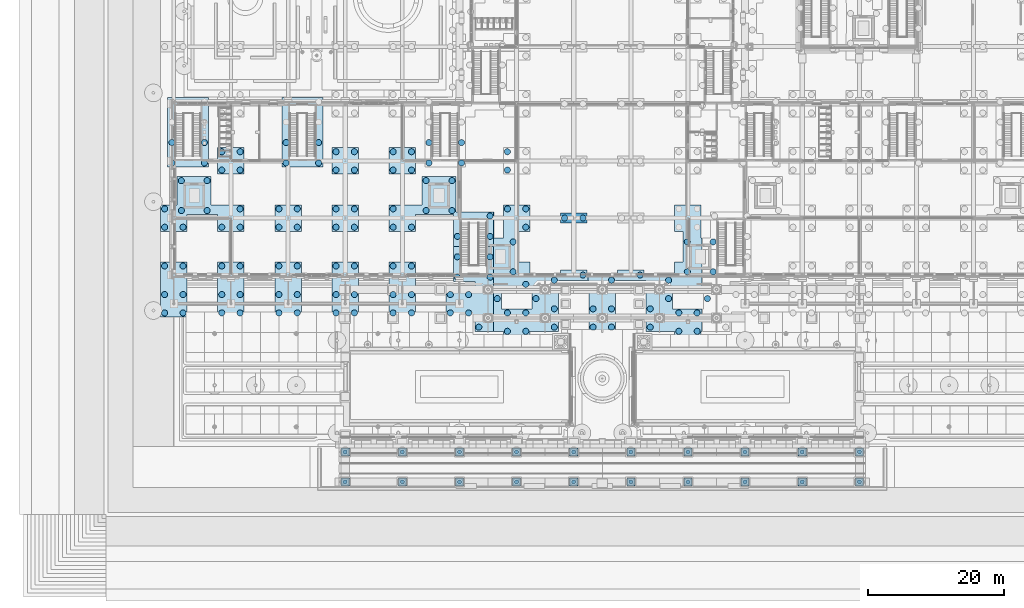
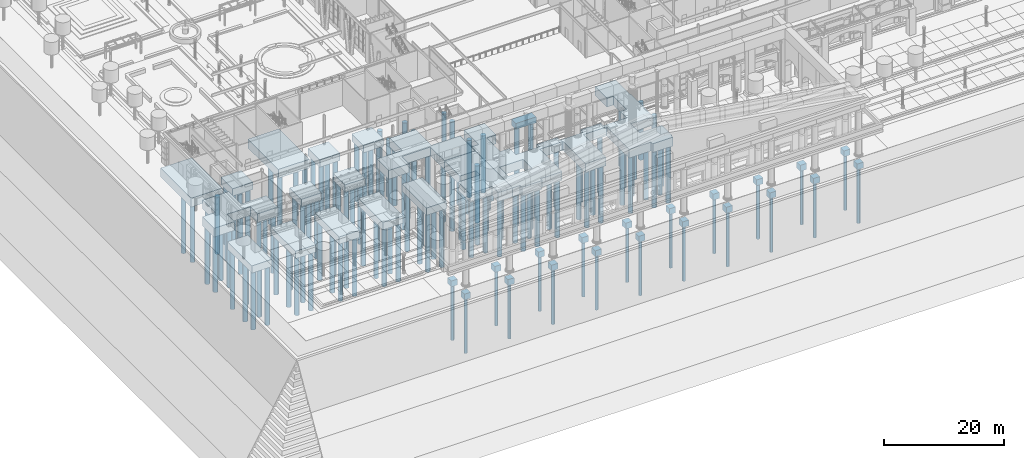
# One storey, part 1 of 222: 150 piles, 38 footings.
"""IFC4 building model written with IfcOpenShell, lengths in metres."""

import ifcopenshell
import ifcopenshell.guid

model = None  # the IFC model being written
_history = None  # IfcOwnerHistory: only IFC2X3 demands one
_inside = {}  # id of a spatial element -> (the spatial element, [elements in it])
_under = {}  # id of a project, library or spatial element -> (it, [spatial elements below it])
_declared = {}  # id of a project -> (the project, [libraries it declares])
_typed = {}  # id of a type object -> (the type object, [elements of that type])
_made_of = {}  # id of a material, layer set ... -> (it, [elements and type objects made of it])


def new_model(schema):
    """Start an empty IFC model of exactly this schema.

    Asked for "IFC4X3", IfcOpenShell would pick the latest addendum, in which some entities
    have other attributes; the version numbers below select the first issue.
    IFC2X3 requires an IfcOwnerHistory on every rooted entity: one is made here for all.
    """
    global model, _history
    if schema == "IFC4X3":
        model = ifcopenshell.file(schema_version=(4, 3, 0, 0))
    else:
        model = ifcopenshell.file(schema=schema)
    _inside.clear()
    _under.clear()
    _declared.clear()
    _typed.clear()
    _made_of.clear()
    _history = None
    if model.schema == "IFC2X3":
        org = make("IfcOrganization", Name="unknown")
        user = make(
            "IfcPersonAndOrganization",
            ThePerson=make("IfcPerson", FamilyName="unknown"),
            TheOrganization=org,
        )
        app = make(
            "IfcApplication",
            ApplicationDeveloper=org,
            Version="unknown",
            ApplicationFullName="unknown",
            ApplicationIdentifier="unknown",
        )
        _history = make(
            "IfcOwnerHistory",
            OwningUser=user,
            OwningApplication=app,
            ChangeAction="ADDED",
            CreationDate=0,
        )
    return model


def make(cls, **values):
    """One entity of the class cls with the attributes given. An attribute that is None is left unset."""
    return model.create_entity(
        cls, **{name: value for name, value in values.items() if value is not None}
    )


def rooted(cls, **values):
    """An entity with a GlobalId (a new one), such as an element, a storey or a relation."""
    return make(cls, GlobalId=ifcopenshell.guid.new(), OwnerHistory=_history, **values)


def si_unit(unit_type, name, prefix=None):
    """IfcSIUnit, for example si_unit("LENGTHUNIT", "METRE", prefix="MILLI")."""
    return make("IfcSIUnit", UnitType=unit_type, Prefix=prefix, Name=name)


def assignment(units):
    """IfcUnitAssignment: the units of a project."""
    return None if units is None else make("IfcUnitAssignment", Units=units)


def point(xyz):
    """IfcCartesianPoint."""
    return None if xyz is None else make("IfcCartesianPoint", Coordinates=xyz)


def direction(xyz):
    """IfcDirection."""
    return None if xyz is None else make("IfcDirection", DirectionRatios=xyz)


def frame(location, z_axis=None, x_axis=None):
    """IfcAxis2Placement3D, a coordinate frame: its origin and axes. An axis left out is left unset."""
    return make(
        "IfcAxis2Placement3D",
        Location=point(location),
        Axis=direction(z_axis),
        RefDirection=direction(x_axis),
    )


def frame_2d(location, x_axis=None):
    """IfcAxis2Placement2D, a coordinate frame in the plane: its origin and x axis."""
    return make(
        "IfcAxis2Placement2D", Location=point(location), RefDirection=direction(x_axis)
    )


def origin():
    """The frame at (0, 0, 0) with its axes left unset."""
    return frame((0.0, 0.0, 0.0))


def origin_2d():
    """The frame at (0, 0) in the plane with its x axis left unset."""
    return frame_2d((0.0, 0.0))


def place(relative_to, where):
    """IfcLocalPlacement: puts the frame where relative to a parent placement (None: the world)."""
    return make(
        "IfcLocalPlacement", PlacementRelTo=relative_to, RelativePlacement=where
    )


def context(
    kind, dimensions, precision=None, world=None, true_north=None, identifier=None
):
    """IfcGeometricRepresentationContext, for example the 3D "Model" context."""
    return make(
        "IfcGeometricRepresentationContext",
        ContextIdentifier=identifier,
        ContextType=kind,
        CoordinateSpaceDimension=dimensions,
        Precision=precision,
        WorldCoordinateSystem=world,
        TrueNorth=true_north,
    )


def subcontext(parent, identifier, kind, view, scale=None):
    """IfcGeometricRepresentationSubContext, for example "Body" below "Model"."""
    return make(
        "IfcGeometricRepresentationSubContext",
        ContextIdentifier=identifier,
        ContextType=kind,
        ParentContext=parent,
        TargetScale=scale,
        TargetView=view,
    )


def project(units=None, contexts=None):
    """IfcProject with its units and contexts."""
    return rooted(
        "IfcProject",
        Name="project",
        RepresentationContexts=contexts,
        UnitsInContext=assignment(units),
    )


def spatial(cls, under=None, at=None, **own):
    """A site, building, storey or space (cls), placed at a placement, below another one or the project."""
    s = rooted(cls, ObjectPlacement=at, **own)
    if under is not None:
        _under.setdefault(under.id(), (under, []))[1].append(s)
    return s


def polyline(points):
    """IfcPolyline through the points."""
    return make("IfcPolyline", Points=[point(p) for p in points])


def profile(cls, at=None, kind="AREA", **sizes):
    """A parametric profile (cls). Its sizes go by their IFC names, for example OverallWidth=200.0."""
    return make(cls, ProfileType=kind, Position=at, **sizes)


def rectangle(**sizes):
    """IfcRectangleProfileDef."""
    return profile("IfcRectangleProfileDef", **sizes)


def circle(**sizes):
    """IfcCircleProfileDef."""
    return profile("IfcCircleProfileDef", **sizes)


def outline(outer, holes=None, kind="AREA"):
    """IfcArbitraryClosedProfileDef: a profile drawn as a closed curve; with holes, ...WithVoids."""
    if holes is None:
        return make("IfcArbitraryClosedProfileDef", ProfileType=kind, OuterCurve=outer)
    return make(
        "IfcArbitraryProfileDefWithVoids",
        ProfileType=kind,
        OuterCurve=outer,
        InnerCurves=holes,
    )


def extrude(swept, where, along, depth):
    """IfcExtrudedAreaSolid: the profile swept, set in the frame where, extruded along a direction by depth."""
    return make(
        "IfcExtrudedAreaSolid",
        SweptArea=swept,
        Position=where,
        ExtrudedDirection=direction(along),
        Depth=depth,
    )


def shape(context_of_items, identifier, shape_type, items):
    """IfcShapeRepresentation: the items that make up one representation, for example the "Body"."""
    return make(
        "IfcShapeRepresentation",
        ContextOfItems=context_of_items,
        RepresentationIdentifier=identifier,
        RepresentationType=shape_type,
        Items=items,
    )


def material(Name=None, Category=None):
    """IfcMaterial."""
    return make("IfcMaterial", Name=Name, Category=Category)


def material_profile(
    of_material, cross_section, Name=None, Category=None, Priority=None
):
    """IfcMaterialProfile: a cross section and its material."""
    return make(
        "IfcMaterialProfile",
        Name=Name,
        Material=of_material,
        Profile=cross_section,
        Priority=Priority,
        Category=Category,
    )


def profile_set(profiles, Name=None, composite=None):
    """IfcMaterialProfileSet."""
    return make(
        "IfcMaterialProfileSet",
        Name=Name,
        MaterialProfiles=profiles,
        CompositeProfile=composite,
    )


def made_of(thing, what):
    """Note that an element or type object is made of a material, layer set ...; save() writes the relation."""
    if what is not None:
        _made_of.setdefault(what.id(), (what, []))[1].append(thing)
    return thing


def type_object(cls, material=None, **own):
    """A type object (cls), such as IfcWallType, which elements share."""
    return made_of(rooted(cls, **own), material)


def element(
    cls,
    number,
    at=None,
    inside=None,
    cuts=None,
    type_object=None,
    material=None,
    context=None,
    identifier="Body",
    shape_type=None,
    held_by="IfcProductDefinitionShape",
    body=None,
    shapes=None,
    **own,
):
    """One element of the class cls, such as IfcWall. Its Tag is "e" and its number.

    at: its placement. inside: the storey or other place that contains it. cuts: it is an
    opening in that element (IfcRelVoidsElement). A single representation is given by context,
    identifier, shape_type and body (its items); several are given by shapes. held_by: the class
    of the entity that holds the representations. save() writes the other relations.
    """
    e = rooted(cls, Tag="e%d" % number, ObjectPlacement=at, **own)
    if body is not None:
        shapes = [shape(context, identifier, shape_type, body)]
    if shapes is not None:
        e.Representation = make(held_by, Representations=shapes)
    if inside is not None:
        _inside.setdefault(inside.id(), (inside, []))[1].append(e)
    if cuts is not None:
        rooted(
            "IfcRelVoidsElement", RelatingBuildingElement=cuts, RelatedOpeningElement=e
        )
    if type_object is not None:
        _typed.setdefault(type_object.id(), (type_object, []))[1].append(e)
    return made_of(e, material)


def aggregate(whole, parts):
    """IfcRelAggregates: a whole, such as a stair, and the parts it consists of."""
    return rooted("IfcRelAggregates", RelatingObject=whole, RelatedObjects=parts)


def save(model, path):
    """Write the relations noted so far, then the file.

    IfcRelAggregates (storeys below a building ...), IfcRelContainedInSpatialStructure (elements
    in a storey), IfcRelDefinesByType, IfcRelAssociatesMaterial and IfcRelDeclares: one each for
    every whole, place, type object, material and project.
    """
    for whole, parts in _under.values():
        aggregate(whole, parts)
    for where, things in _inside.values():
        rooted(
            "IfcRelContainedInSpatialStructure",
            RelatedElements=things,
            RelatingStructure=where,
        )
    for kind, things in _typed.values():
        rooted("IfcRelDefinesByType", RelatedObjects=things, RelatingType=kind)
    for what, things in _made_of.values():
        rooted("IfcRelAssociatesMaterial", RelatedObjects=things, RelatingMaterial=what)
    for by, libraries in _declared.values():
        rooted("IfcRelDeclares", RelatingContext=by, RelatedDefinitions=libraries)
    model.write(path)


model = new_model("IFC4")

# Units and contexts
model_context = context("Model", 3, precision=1e-05, world=origin(), true_north=direction((0.0, 1.0)))
body_context = subcontext(model_context, "Body", "Model", "MODEL_VIEW")
ifc_project = project(units=[si_unit("LENGTHUNIT", "METRE"), si_unit("AREAUNIT", "SQUARE_METRE"), si_unit("VOLUMEUNIT", "CUBIC_METRE"), si_unit("PLANEANGLEUNIT", "RADIAN"), si_unit("MASSUNIT", "GRAM", prefix="KILO")], contexts=[model_context])

# Site, building, storey
site_placement = place(None, origin())
site = spatial("IfcSite", under=ifc_project, at=site_placement, CompositionType="ELEMENT")
building_placement = place(site_placement, origin())
building = spatial("IfcBuilding", under=site, at=building_placement, Name="Sava Quay Ferry Terminal", CompositionType="ELEMENT")
storey_placement = place(building_placement, origin())
storey = spatial("IfcBuildingStorey", under=building, at=storey_placement, Name="L00", CompositionType="ELEMENT", Elevation=0.0)

# Piles
ifc_material_1 = material(Name="Concrete C30/37", Category="concrete")
ifc_material_profile_1 = material_profile(ifc_material_1, circle(Radius=0.300048828125, at=origin_2d()), Name="Bored pile D600")
ifc_profile_set_1 = profile_set([ifc_material_profile_1], Name="Concrete C30/37")
pile_type_1 = type_object("IfcPileType", Name="Bored pile D600", PredefinedType="BORED", material=ifc_profile_set_1)
for number, where, z_axis, x_axis, name in (
    (1, (25.199951171875, -5.199951171875, -2.449951171875), (0.0, 0.0, -1.0), (1.0, 0.0, 0.0), "Porte-cochere pile"),
    (2, (33.60009765625, -5.199951171875, -2.449951171875), (0.0, 0.0, -1.0), (1.0, 0.0, 0.0), "Porte-cochere pile"),
    (3, (42.0, -5.199951171875, -2.449951171875), (0.0, 0.0, -1.0), (1.0, 0.0, 0.0), "Porte-cochere pile"),
    (4, (50.39990234375, -5.199951171875, -2.449951171875), (0.0, 0.0, -1.0), (1.0, 0.0, 0.0), "Porte-cochere pile"),
    (5, (58.800048828125, -5.199951171875, -2.449951171875), (0.0, 0.0, -1.0), (1.0, 0.0, 0.0), "Porte-cochere pile"),
    (6, (67.199951171875, -5.199951171875, -2.449951171875), (0.0, 0.0, -1.0), (1.0, 0.0, 0.0), "Porte-cochere pile"),
    (7, (75.60009765625, -5.199951171875, -2.449951171875), (0.0, 0.0, -1.0), (1.0, 0.0, 0.0), "Porte-cochere pile"),
    (8, (84.0, -5.199951171875, -2.449951171875), (0.0, 0.0, -1.0), (1.0, 0.0, 0.0), "Porte-cochere pile"),
    (9, (92.39990234375, -5.199951171875, -2.449951171875), (0.0, 0.0, -1.0), (1.0, 0.0, 0.0), "Porte-cochere pile"),
    (10, (100.800048828125, -5.199951171875, -2.449951171875), (0.0, 0.0, -1.0), (1.0, 0.0, 0.0), "Porte-cochere pile"),
    (11, (25.199951171875, -0.800048828125, -2.449951171875), (0.0, 0.0, -1.0), (1.0, 0.0, 0.0), "Porte-cochere pile"),
    (12, (33.60009765625, -0.800048828125, -2.449951171875), (0.0, 0.0, -1.0), (1.0, 0.0, 0.0), "Porte-cochere pile"),
    (13, (42.0, -0.800048828125, -2.449951171875), (0.0, 0.0, -1.0), (1.0, 0.0, 0.0), "Porte-cochere pile"),
    (14, (50.39990234375, -0.800048828125, -2.449951171875), (0.0, 0.0, -1.0), (1.0, 0.0, 0.0), "Porte-cochere pile"),
    (15, (58.800048828125, -0.800048828125, -2.449951171875), (0.0, 0.0, -1.0), (1.0, 0.0, 0.0), "Porte-cochere pile"),
    (16, (67.199951171875, -0.800048828125, -2.449951171875), (0.0, 0.0, -1.0), (1.0, 0.0, 0.0), "Porte-cochere pile"),
    (17, (75.60009765625, -0.800048828125, -2.449951171875), (0.0, 0.0, -1.0), (1.0, 0.0, 0.0), "Porte-cochere pile"),
    (18, (84.0, -0.800048828125, -2.449951171875), (0.0, 0.0, -1.0), (1.0, 0.0, 0.0), "Porte-cochere pile"),
    (19, (92.39990234375, -0.800048828125, -2.449951171875), (0.0, 0.0, -1.0), (1.0, 0.0, 0.0), "Porte-cochere pile"),
    (20, (100.800048828125, -0.800048828125, -2.449951171875), (0.0, 0.0, -1.0), (1.0, 0.0, 0.0), "Porte-cochere pile"),
):
    element("IfcPile", number, at=place(storey_placement, frame(where, z_axis=z_axis, x_axis=x_axis)), inside=storey, type_object=pile_type_1, Name=name, PredefinedType="BORED", context=body_context, shape_type="SweptSolid", body=[
        extrude(circle(Radius=0.300048828125, at=origin_2d()), origin(), (0.0, 0.0, 1.0), 11.35009765625),
    ])
ifc_material_2 = material(Name="Concrete C30/37", Category="concrete")
ifc_material_profile_2 = material_profile(ifc_material_2, circle(Radius=0.449951171875, at=origin_2d()), Name="Bored pile D900")
ifc_profile_set_2 = profile_set([ifc_material_profile_2], Name="Concrete C30/37")
pile_type_2 = type_object("IfcPileType", Name="Bored pile D900", PredefinedType="BORED", material=ifc_profile_set_2)
for number, where, z_axis, x_axis, name in (
    (21, (49.89990234375, 25.699951171875, -3.050048828125), (0.0, 0.0, -1.0), (1.0, 0.0, 0.0), "Pile 49.9/25.7"),
    (22, (49.89990234375, 30.10009765625, -3.050048828125), (0.0, 0.0, -1.0), (1.0, 0.0, 0.0), "Pile 49.9/30.1"),
    (23, (49.050048828125, 16.949951171875, -3.050048828125), (0.0, 0.0, -1.0), (1.0, 0.0, 0.0), "Pile 49.05/16.95"),
    (24, (49.050048828125, 19.64990234375, -3.050048828125), (0.0, 0.0, -1.0), (1.0, 0.0, 0.0), "Pile 49.05/19.65"),
    (25, (51.75, 16.949951171875, -3.050048828125), (0.0, 0.0, -1.0), (1.0, 0.0, 0.0), "Pile 51.75/16.95"),
    (26, (51.75, 19.64990234375, -3.050048828125), (0.0, 0.0, -1.0), (1.0, 0.0, 0.0), "Pile 51.75/19.65"),
    (27, (47.550048828125, 21.75, -3.050048828125), (0.0, 0.0, -1.0), (1.0, 0.0, 0.0), "Pile 47.55/21.75"),
    (28, (51.75, 23.85009765625, -3.050048828125), (0.0, 0.0, -1.0), (1.0, 0.0, 0.0), "Pile 51.75/23.85"),
    (29, (49.050048828125, 34.949951171875, -3.050048828125), (0.0, 0.0, -1.0), (1.0, 0.0, 0.0), "Pile 49.05/34.95"),
    (30, (51.75, 32.25, -3.050048828125), (0.0, 0.0, -1.0), (1.0, 0.0, 0.0), "Pile 51.75/32.25"),
    (31, (51.75, 34.949951171875, -3.050048828125), (0.0, 0.0, -1.0), (1.0, 0.0, 0.0), "Pile 51.75/34.95"),
    (32, (55.949951171875, 17.550048828125, -3.050048828125), (0.0, 0.0, -1.0), (1.0, 0.0, 0.0), "Pile 55.95/17.55"),
    (33, (55.949951171875, 20.25, -3.050048828125), (0.0, 0.0, -1.0), (1.0, 0.0, 0.0), "Pile 55.95/20.25"),
    (34, (53.25, 21.75, -3.050048828125), (0.0, 0.0, -1.0), (1.0, 0.0, 0.0), "Pile 53.25/21.75"),
    (35, (55.949951171875, 24.449951171875, -3.050048828125), (0.0, 0.0, -1.0), (1.0, 0.0, 0.0), "Pile 55.95/24.45"),
    (36, (60.14990234375, 25.199951171875, -3.050048828125), (0.0, 0.0, -1.0), (1.0, 0.0, 0.0), "Pile 60.15/25.2"),
    (37, (75.5, 25.699951171875, -3.050048828125), (0.0, 0.0, -1.0), (1.0, 0.0, 0.0), "Pile 75.5/25.7"),
    (38, (75.5, 30.10009765625, -3.050048828125), (0.0, 0.0, -1.0), (1.0, 0.0, 0.0), "Pile 75.5/30.1"),
    (39, (74.25, 16.949951171875, -3.050048828125), (0.0, 0.0, -1.0), (1.0, 0.0, 0.0), "Pile 74.25/16.95"),
    (40, (74.25, 19.64990234375, -3.050048828125), (0.0, 0.0, -1.0), (1.0, 0.0, 0.0), "Pile 74.25/19.65"),
    (41, (76.949951171875, 16.949951171875, -3.050048828125), (0.0, 0.0, -1.0), (1.0, 0.0, 0.0), "Pile 76.95/16.95"),
    (42, (76.949951171875, 19.64990234375, -3.050048828125), (0.0, 0.0, -1.0), (1.0, 0.0, 0.0), "Pile 76.95/19.65"),
    (43, (61.64990234375, 17.550048828125, -3.050048828125), (0.0, 0.0, -1.0), (1.0, 0.0, 0.0), "Pile 61.65/17.55"),
    (44, (61.64990234375, 20.25, -3.050048828125), (0.0, 0.0, -1.0), (1.0, 0.0, 0.0), "Pile 61.65/20.25"),
    (45, (64.35009765625, 17.550048828125, -3.050048828125), (0.0, 0.0, -1.0), (1.0, 0.0, 0.0), "Pile 64.35/17.55"),
    (46, (64.35009765625, 20.25, -3.050048828125), (0.0, 0.0, -1.0), (1.0, 0.0, 0.0), "Pile 64.35/20.25"),
    (47, (64.35009765625, 24.449951171875, -3.050048828125), (0.0, 0.0, -1.0), (1.0, 0.0, 0.0), "Pile 64.35/24.45"),
    (48, (68.550048828125, 25.199951171875, -3.050048828125), (0.0, 0.0, -1.0), (1.0, 0.0, 0.0), "Pile 68.55/25.2"),
    (49, (70.050048828125, 17.550048828125, -3.050048828125), (0.0, 0.0, -1.0), (1.0, 0.0, 0.0), "Pile 70.05/17.55"),
    (50, (70.050048828125, 20.25, -3.050048828125), (0.0, 0.0, -1.0), (1.0, 0.0, 0.0), "Pile 70.05/20.25"),
    (51, (72.75, 21.75, -3.050048828125), (0.0, 0.0, -1.0), (1.0, 0.0, 0.0), "Pile 72.75/21.75"),
    (52, (72.75, 24.449951171875, -3.050048828125), (0.0, 0.0, -1.0), (1.0, 0.0, 0.0), "Pile 72.75/24.45"),
    (53, (41.699951171875, 24.89990234375, -3.050048828125), (0.0, 0.0, -1.0), (1.0, 0.0, 0.0), "Pile 41.7/24.9"),
    (54, (41.699951171875, 27.89990234375, -3.050048828125), (0.0, 0.0, -1.0), (1.0, 0.0, 0.0), "Pile 41.7/27.9"),
    (55, (46.5, 24.89990234375, -3.050048828125), (0.0, 0.0, -1.0), (1.0, 0.0, 0.0), "Pile 46.5/24.9"),
    (56, (46.5, 27.89990234375, -3.050048828125), (0.0, 0.0, -1.0), (1.0, 0.0, 0.0), "Pile 46.5/27.9"),
    (57, (40.64990234375, 19.64990234375, -3.050048828125), (0.0, 0.0, -1.0), (1.0, 0.0, 0.0), "Pile 40.65/19.65"),
    (58, (40.64990234375, 22.35009765625, -3.050048828125), (0.0, 0.0, -1.0), (1.0, 0.0, 0.0), "Pile 40.65/22.35"),
    (59, (43.35009765625, 19.64990234375, -3.050048828125), (0.0, 0.0, -1.0), (1.0, 0.0, 0.0), "Pile 43.35/19.65"),
    (60, (43.35009765625, 22.35009765625, -3.050048828125), (0.0, 0.0, -1.0), (1.0, 0.0, 0.0), "Pile 43.35/22.35"),
    (61, (44.85009765625, 17.550048828125, -3.050048828125), (0.0, 0.0, -1.0), (1.0, 0.0, 0.0), "Pile 44.85/17.55"),
    (62, (79.300048828125, 25.699951171875, -3.050048828125), (0.0, 0.0, -1.0), (1.0, 0.0, 0.0), "Pile 79.3/25.7"),
    (63, (78.449951171875, 21.75, -3.050048828125), (0.0, 0.0, -1.0), (1.0, 0.0, 0.0), "Pile 78.45/21.75"),
):
    element("IfcPile", number, at=place(storey_placement, frame(where, z_axis=z_axis, x_axis=x_axis)), inside=storey, type_object=pile_type_2, Name=name, PredefinedType="BORED", context=body_context, shape_type="SweptSolid", body=[
        extrude(circle(Radius=0.449951171875, at=origin_2d()), origin(), (0.0, 0.0, 1.0), 11.64990234375),
    ])
for number, where, z_axis, x_axis, name in (
    (64, (-1.35009765625, 19.64990234375, -2.75), (0.0, 0.0, -1.0), (1.0, 0.0, 0.0), "Pile -1.35/19.65"),
    (65, (-1.35009765625, 22.35009765625, -2.75), (0.0, 0.0, -1.0), (1.0, 0.0, 0.0), "Pile -1.35/22.35"),
    (66, (1.35009765625, 19.64990234375, -2.75), (0.0, 0.0, -1.0), (1.0, 0.0, 0.0), "Pile 1.35/19.65"),
    (67, (1.35009765625, 22.35009765625, -2.75), (0.0, 0.0, -1.0), (1.0, 0.0, 0.0), "Pile 1.35/22.35"),
    (68, (-1.35009765625, 26.550048828125, -2.75), (0.0, 0.0, -1.0), (1.0, 0.0, 0.0), "Pile -1.35/26.55"),
    (69, (1.35009765625, 26.550048828125, -2.75), (0.0, 0.0, -1.0), (1.0, 0.0, 0.0), "Pile 1.35/26.55"),
    (70, (7.050048828125, 19.64990234375, -2.75), (0.0, 0.0, -1.0), (1.0, 0.0, 0.0), "Pile 7.05/19.65"),
    (71, (7.050048828125, 22.35009765625, -2.75), (0.0, 0.0, -1.0), (1.0, 0.0, 0.0), "Pile 7.05/22.35"),
    (72, (9.75, 19.64990234375, -2.75), (0.0, 0.0, -1.0), (1.0, 0.0, 0.0), "Pile 9.75/19.65"),
    (73, (9.75, 22.35009765625, -2.75), (0.0, 0.0, -1.0), (1.0, 0.0, 0.0), "Pile 9.75/22.35"),
    (74, (7.050048828125, 26.550048828125, -2.75), (0.0, 0.0, -1.0), (1.0, 0.0, 0.0), "Pile 7.05/26.55"),
    (75, (9.75, 26.550048828125, -2.75), (0.0, 0.0, -1.0), (1.0, 0.0, 0.0), "Pile 9.75/26.55"),
    (76, (15.449951171875, 19.64990234375, -2.75), (0.0, 0.0, -1.0), (1.0, 0.0, 0.0), "Pile 15.45/19.65"),
    (77, (15.449951171875, 22.35009765625, -2.75), (0.0, 0.0, -1.0), (1.0, 0.0, 0.0), "Pile 15.45/22.35"),
    (78, (18.14990234375, 19.64990234375, -2.75), (0.0, 0.0, -1.0), (1.0, 0.0, 0.0), "Pile 18.15/19.65"),
    (79, (18.14990234375, 22.35009765625, -2.75), (0.0, 0.0, -1.0), (1.0, 0.0, 0.0), "Pile 18.15/22.35"),
    (80, (15.449951171875, 26.550048828125, -2.75), (0.0, 0.0, -1.0), (1.0, 0.0, 0.0), "Pile 15.45/26.55"),
    (81, (18.14990234375, 26.550048828125, -2.75), (0.0, 0.0, -1.0), (1.0, 0.0, 0.0), "Pile 18.15/26.55"),
    (82, (23.85009765625, 19.64990234375, -2.75), (0.0, 0.0, -1.0), (1.0, 0.0, 0.0), "Pile 23.85/19.65"),
    (83, (23.85009765625, 22.35009765625, -2.75), (0.0, 0.0, -1.0), (1.0, 0.0, 0.0), "Pile 23.85/22.35"),
    (84, (26.550048828125, 19.64990234375, -2.75), (0.0, 0.0, -1.0), (1.0, 0.0, 0.0), "Pile 26.55/19.65"),
    (85, (26.550048828125, 22.35009765625, -2.75), (0.0, 0.0, -1.0), (1.0, 0.0, 0.0), "Pile 26.55/22.35"),
    (86, (23.85009765625, 26.550048828125, -2.75), (0.0, 0.0, -1.0), (1.0, 0.0, 0.0), "Pile 23.85/26.55"),
    (87, (26.550048828125, 26.550048828125, -2.75), (0.0, 0.0, -1.0), (1.0, 0.0, 0.0), "Pile 26.55/26.55"),
    (88, (32.25, 19.64990234375, -2.75), (0.0, 0.0, -1.0), (1.0, 0.0, 0.0), "Pile 32.25/19.65"),
    (89, (32.25, 22.35009765625, -2.75), (0.0, 0.0, -1.0), (1.0, 0.0, 0.0), "Pile 32.25/22.35"),
    (90, (34.949951171875, 19.64990234375, -2.75), (0.0, 0.0, -1.0), (1.0, 0.0, 0.0), "Pile 34.95/19.65"),
    (91, (34.949951171875, 22.35009765625, -2.75), (0.0, 0.0, -1.0), (1.0, 0.0, 0.0), "Pile 34.95/22.35"),
    (92, (32.25, 26.550048828125, -2.75), (0.0, 0.0, -1.0), (1.0, 0.0, 0.0), "Pile 32.25/26.55"),
    (93, (34.949951171875, 26.550048828125, -2.75), (0.0, 0.0, -1.0), (1.0, 0.0, 0.0), "Pile 34.95/26.55"),
):
    element("IfcPile", number, at=place(storey_placement, frame(where, z_axis=z_axis, x_axis=x_axis)), inside=storey, type_object=pile_type_2, Name=name, PredefinedType="BORED", context=body_context, shape_type="SweptSolid", body=[
        extrude(circle(Radius=0.449951171875, at=origin_2d()), origin(), (0.0, 0.0, 1.0), 11.949951171875),
    ])
for number, where, z_axis, x_axis, name in (
    (94, (79.300048828125, 30.10009765625, -3.050048828125), (0.0, 0.0, -1.0), (1.0, 0.0, 0.0), "Pile 79.3/30.1"),
    (95, (37.10009765625, 34.699951171875, -3.050048828125), (0.0, 0.0, -1.0), (1.0, 0.0, 0.0), "Pile 37.1/34.7"),
    (96, (37.10009765625, 39.10009765625, -3.050048828125), (0.0, 0.0, -1.0), (1.0, 0.0, 0.0), "Pile 37.1/39.1"),
    (97, (40.89990234375, 34.699951171875, -3.050048828125), (0.0, 0.0, -1.0), (1.0, 0.0, 0.0), "Pile 40.9/34.7"),
    (98, (40.89990234375, 39.10009765625, -3.050048828125), (0.0, 0.0, -1.0), (1.0, 0.0, 0.0), "Pile 40.9/39.1"),
    (99, (41.699951171875, 30.89990234375, -3.050048828125), (0.0, 0.0, -1.0), (1.0, 0.0, 0.0), "Pile 41.7/30.9"),
    (100, (46.5, 30.89990234375, -3.050048828125), (0.0, 0.0, -1.0), (1.0, 0.0, 0.0), "Pile 46.5/30.9"),
    (101, (46.5, 33.89990234375, -3.050048828125), (0.0, 0.0, -1.0), (1.0, 0.0, 0.0), "Pile 46.5/33.9"),
    (102, (32.25, 32.25, -3.050048828125), (0.0, 0.0, -1.0), (1.0, 0.0, 0.0), "Pile 32.25/32.25"),
    (103, (32.25, 34.949951171875, -3.050048828125), (0.0, 0.0, -1.0), (1.0, 0.0, 0.0), "Pile 32.25/34.95"),
    (104, (34.949951171875, 32.25, -3.050048828125), (0.0, 0.0, -1.0), (1.0, 0.0, 0.0), "Pile 34.95/32.25"),
    (105, (1.10009765625, 34.699951171875, -3.050048828125), (0.0, 0.0, -1.0), (1.0, 0.0, 0.0), "Pile 1.1/34.7"),
    (106, (1.10009765625, 39.10009765625, -3.050048828125), (0.0, 0.0, -1.0), (1.0, 0.0, 0.0), "Pile 1.1/39.1"),
    (107, (4.89990234375, 34.699951171875, -3.050048828125), (0.0, 0.0, -1.0), (1.0, 0.0, 0.0), "Pile 4.9/34.7"),
    (108, (4.89990234375, 39.10009765625, -3.050048828125), (0.0, 0.0, -1.0), (1.0, 0.0, 0.0), "Pile 4.9/39.1"),
    (109, (-1.35009765625, 32.25, -3.050048828125), (0.0, 0.0, -1.0), (1.0, 0.0, 0.0), "Pile -1.35/32.25"),
    (110, (-1.35009765625, 34.949951171875, -3.050048828125), (0.0, 0.0, -1.0), (1.0, 0.0, 0.0), "Pile -1.35/34.95"),
    (111, (1.35009765625, 32.25, -3.050048828125), (0.0, 0.0, -1.0), (1.0, 0.0, 0.0), "Pile 1.35/32.25"),
    (112, (7.050048828125, 32.25, -3.050048828125), (0.0, 0.0, -1.0), (1.0, 0.0, 0.0), "Pile 7.05/32.25"),
    (113, (9.75, 32.25, -3.050048828125), (0.0, 0.0, -1.0), (1.0, 0.0, 0.0), "Pile 9.75/32.25"),
    (114, (9.75, 34.949951171875, -3.050048828125), (0.0, 0.0, -1.0), (1.0, 0.0, 0.0), "Pile 9.75/34.95"),
):
    element("IfcPile", number, at=place(storey_placement, frame(where, z_axis=z_axis, x_axis=x_axis)), inside=storey, type_object=pile_type_2, Name=name, PredefinedType="BORED", context=body_context, shape_type="SweptSolid", body=[
        extrude(circle(Radius=0.449951171875, at=origin_2d()), origin(), (0.0, 0.0, 1.0), 11.64990234375),
    ])
for number, where, z_axis, x_axis, name in (
    (115, (15.449951171875, 32.25, -2.75), (0.0, 0.0, -1.0), (1.0, 0.0, 0.0), "Pile 15.45/32.25"),
    (116, (15.449951171875, 34.949951171875, -2.75), (0.0, 0.0, -1.0), (1.0, 0.0, 0.0), "Pile 15.45/34.95"),
    (117, (18.14990234375, 32.25, -2.75), (0.0, 0.0, -1.0), (1.0, 0.0, 0.0), "Pile 18.15/32.25"),
    (118, (18.14990234375, 34.949951171875, -2.75), (0.0, 0.0, -1.0), (1.0, 0.0, 0.0), "Pile 18.15/34.95"),
    (119, (23.85009765625, 32.25, -2.75), (0.0, 0.0, -1.0), (1.0, 0.0, 0.0), "Pile 23.85/32.25"),
    (120, (23.85009765625, 34.949951171875, -2.75), (0.0, 0.0, -1.0), (1.0, 0.0, 0.0), "Pile 23.85/34.95"),
    (121, (26.550048828125, 32.25, -2.75), (0.0, 0.0, -1.0), (1.0, 0.0, 0.0), "Pile 26.55/32.25"),
    (122, (26.550048828125, 34.949951171875, -2.75), (0.0, 0.0, -1.0), (1.0, 0.0, 0.0), "Pile 26.55/34.95"),
):
    element("IfcPile", number, at=place(storey_placement, frame(where, z_axis=z_axis, x_axis=x_axis)), inside=storey, type_object=pile_type_2, Name=name, PredefinedType="BORED", context=body_context, shape_type="SweptSolid", body=[
        extrude(circle(Radius=0.449951171875, at=origin_2d()), origin(), (0.0, 0.0, 1.0), 11.949951171875),
    ])
for number, where, z_axis, x_axis, name in (
    (123, (57.449951171875, 33.60009765625, -2.449951171875), (0.0, 0.0, -1.0), (1.0, 0.0, 0.0), "Pile 57.45/33.6"),
    (124, (60.14990234375, 33.60009765625, -2.449951171875), (0.0, 0.0, -1.0), (1.0, 0.0, 0.0), "Pile 60.15/33.6"),
):
    element("IfcPile", number, at=place(storey_placement, frame(where, z_axis=z_axis, x_axis=x_axis)), inside=storey, type_object=pile_type_2, Name=name, PredefinedType="BORED", context=body_context, shape_type="SweptSolid", body=[
        extrude(circle(Radius=0.449951171875, at=origin_2d()), origin(), (0.0, 0.0, 1.0), 12.25),
    ])
for number, where, z_axis, x_axis, name in (
    (125, (7.050048828125, 40.64990234375, -2.75), (0.0, 0.0, -1.0), (1.0, 0.0, 0.0), "Pile 7.05/40.65"),
    (126, (7.050048828125, 43.35009765625, -2.75), (0.0, 0.0, -1.0), (1.0, 0.0, 0.0), "Pile 7.05/43.35"),
    (127, (9.75, 40.64990234375, -2.75), (0.0, 0.0, -1.0), (1.0, 0.0, 0.0), "Pile 9.75/40.65"),
    (128, (9.75, 43.35009765625, -2.75), (0.0, 0.0, -1.0), (1.0, 0.0, 0.0), "Pile 9.75/43.35"),
    (129, (23.85009765625, 40.64990234375, -2.75), (0.0, 0.0, -1.0), (1.0, 0.0, 0.0), "Pile 23.85/40.65"),
    (130, (23.85009765625, 43.35009765625, -2.75), (0.0, 0.0, -1.0), (1.0, 0.0, 0.0), "Pile 23.85/43.35"),
    (131, (26.550048828125, 40.64990234375, -2.75), (0.0, 0.0, -1.0), (1.0, 0.0, 0.0), "Pile 26.55/40.65"),
    (132, (26.550048828125, 43.35009765625, -2.75), (0.0, 0.0, -1.0), (1.0, 0.0, 0.0), "Pile 26.55/43.35"),
    (133, (32.25, 40.64990234375, -2.75), (0.0, 0.0, -1.0), (1.0, 0.0, 0.0), "Pile 32.25/40.65"),
    (134, (32.25, 43.35009765625, -2.75), (0.0, 0.0, -1.0), (1.0, 0.0, 0.0), "Pile 32.25/43.35"),
    (135, (34.949951171875, 40.64990234375, -2.75), (0.0, 0.0, -1.0), (1.0, 0.0, 0.0), "Pile 34.95/40.65"),
    (136, (34.949951171875, 43.35009765625, -2.75), (0.0, 0.0, -1.0), (1.0, 0.0, 0.0), "Pile 34.95/43.35"),
    (137, (49.050048828125, 40.64990234375, -2.75), (0.0, 0.0, -1.0), (1.0, 0.0, 0.0), "Pile 49.05/40.65"),
    (138, (49.050048828125, 43.35009765625, -2.75), (0.0, 0.0, -1.0), (1.0, 0.0, 0.0), "Pile 49.05/43.35"),
):
    element("IfcPile", number, at=place(storey_placement, frame(where, z_axis=z_axis, x_axis=x_axis)), inside=storey, type_object=pile_type_2, Name=name, PredefinedType="BORED", context=body_context, shape_type="SweptSolid", body=[
        extrude(circle(Radius=0.449951171875, at=origin_2d()), origin(), (0.0, 0.0, 1.0), 11.949951171875),
    ])
for number, where, z_axis, x_axis, name in (
    (139, (-0.300048828125, 41.699951171875, -3.050048828125), (0.0, 0.0, -1.0), (1.0, 0.0, 0.0), "Pile -0.3/41.7"),
    (140, (-0.300048828125, 44.699951171875, -3.050048828125), (0.0, 0.0, -1.0), (1.0, 0.0, 0.0), "Pile -0.3/44.7"),
    (141, (4.5, 41.699951171875, -3.050048828125), (0.0, 0.0, -1.0), (1.0, 0.0, 0.0), "Pile 4.5/41.7"),
    (142, (4.5, 44.699951171875, -3.050048828125), (0.0, 0.0, -1.0), (1.0, 0.0, 0.0), "Pile 4.5/44.7"),
    (143, (16.5, 41.699951171875, -3.050048828125), (0.0, 0.0, -1.0), (1.0, 0.0, 0.0), "Pile 16.5/41.7"),
    (144, (16.5, 44.699951171875, -3.050048828125), (0.0, 0.0, -1.0), (1.0, 0.0, 0.0), "Pile 16.5/44.7"),
    (145, (21.300048828125, 41.699951171875, -3.050048828125), (0.0, 0.0, -1.0), (1.0, 0.0, 0.0), "Pile 21.3/41.7"),
    (146, (21.300048828125, 44.699951171875, -3.050048828125), (0.0, 0.0, -1.0), (1.0, 0.0, 0.0), "Pile 21.3/44.7"),
    (147, (37.5, 41.699951171875, -3.050048828125), (0.0, 0.0, -1.0), (1.0, 0.0, 0.0), "Pile 37.5/41.7"),
    (148, (37.5, 44.699951171875, -3.050048828125), (0.0, 0.0, -1.0), (1.0, 0.0, 0.0), "Pile 37.5/44.7"),
    (149, (42.300048828125, 41.699951171875, -3.050048828125), (0.0, 0.0, -1.0), (1.0, 0.0, 0.0), "Pile 42.3/41.7"),
    (150, (42.300048828125, 44.699951171875, -3.050048828125), (0.0, 0.0, -1.0), (1.0, 0.0, 0.0), "Pile 42.3/44.7"),
):
    element("IfcPile", number, at=place(storey_placement, frame(where, z_axis=z_axis, x_axis=x_axis)), inside=storey, type_object=pile_type_2, Name=name, PredefinedType="BORED", context=body_context, shape_type="SweptSolid", body=[
        extrude(circle(Radius=0.449951171875, at=origin_2d()), origin(), (0.0, 0.0, 1.0), 11.64990234375),
    ])

# Footings
ifc_material_3 = material(Name="Concrete C35/45", Category="concrete")
footing_type_1 = type_object("IfcFootingType", Name="Pile cap 1.2x1.2x1.2", PredefinedType="PILE_CAP", material=ifc_material_3)
for number, where, z_axis, x_axis, name in (
    (151, (25.199951171875, -5.199951171875, -2.5498046875), (0.0, 0.0, 1.0), (1.0, 0.0, 0.0), "Porte-cochere pile cap"),
    (152, (33.60009765625, -5.199951171875, -2.5498046875), (0.0, 0.0, 1.0), (1.0, 0.0, 0.0), "Porte-cochere pile cap"),
    (153, (42.0, -5.199951171875, -2.5498046875), (0.0, 0.0, 1.0), (1.0, 0.0, 0.0), "Porte-cochere pile cap"),
    (154, (50.39990234375, -5.199951171875, -2.5498046875), (0.0, 0.0, 1.0), (1.0, 0.0, 0.0), "Porte-cochere pile cap"),
    (155, (58.800048828125, -5.199951171875, -2.5498046875), (0.0, 0.0, 1.0), (1.0, 0.0, 0.0), "Porte-cochere pile cap"),
    (156, (67.199951171875, -5.199951171875, -2.5498046875), (0.0, 0.0, 1.0), (1.0, 0.0, 0.0), "Porte-cochere pile cap"),
    (157, (75.60009765625, -5.199951171875, -2.5498046875), (0.0, 0.0, 1.0), (1.0, 0.0, 0.0), "Porte-cochere pile cap"),
    (158, (84.0, -5.199951171875, -2.5498046875), (0.0, 0.0, 1.0), (1.0, 0.0, 0.0), "Porte-cochere pile cap"),
    (159, (92.39990234375, -5.199951171875, -2.5498046875), (0.0, 0.0, 1.0), (1.0, 0.0, 0.0), "Porte-cochere pile cap"),
    (160, (100.800048828125, -5.199951171875, -2.5498046875), (0.0, 0.0, 1.0), (1.0, 0.0, 0.0), "Porte-cochere pile cap"),
    (161, (25.199951171875, -0.800048828125, -2.5498046875), (0.0, 0.0, 1.0), (1.0, 0.0, 0.0), "Porte-cochere pile cap"),
    (162, (33.60009765625, -0.800048828125, -2.5498046875), (0.0, 0.0, 1.0), (1.0, 0.0, 0.0), "Porte-cochere pile cap"),
    (163, (42.0, -0.800048828125, -2.5498046875), (0.0, 0.0, 1.0), (1.0, 0.0, 0.0), "Porte-cochere pile cap"),
    (164, (50.39990234375, -0.800048828125, -2.5498046875), (0.0, 0.0, 1.0), (1.0, 0.0, 0.0), "Porte-cochere pile cap"),
    (165, (58.800048828125, -0.800048828125, -2.5498046875), (0.0, 0.0, 1.0), (1.0, 0.0, 0.0), "Porte-cochere pile cap"),
    (166, (67.199951171875, -0.800048828125, -2.5498046875), (0.0, 0.0, 1.0), (1.0, 0.0, 0.0), "Porte-cochere pile cap"),
    (167, (75.60009765625, -0.800048828125, -2.5498046875), (0.0, 0.0, 1.0), (1.0, 0.0, 0.0), "Porte-cochere pile cap"),
    (168, (84.0, -0.800048828125, -2.5498046875), (0.0, 0.0, 1.0), (1.0, 0.0, 0.0), "Porte-cochere pile cap"),
    (169, (92.39990234375, -0.800048828125, -2.5498046875), (0.0, 0.0, 1.0), (1.0, 0.0, 0.0), "Porte-cochere pile cap"),
    (170, (100.800048828125, -0.800048828125, -2.5498046875), (0.0, 0.0, 1.0), (1.0, 0.0, 0.0), "Porte-cochere pile cap"),
):
    element("IfcFooting", number, at=place(storey_placement, frame(where, z_axis=z_axis, x_axis=x_axis)), inside=storey, type_object=footing_type_1, Name=name, PredefinedType="PILE_CAP", context=body_context, shape_type="SweptSolid", body=[
        extrude(rectangle(XDim=1.199951171875, YDim=1.199951171875, at=origin_2d()), origin(), (0.0, 0.0, 1.0), 1.199951171875),
    ])
ifc_material_4 = material(Name="Concrete C35/45", Category="concrete")
footing_type_2 = type_object("IfcFootingType", Name="Pile cap 3.9x1.5x1.2", PredefinedType="PILE_CAP", material=ifc_material_4)
footing_1_placement = place(storey_placement, frame((58.800048828125, 33.60009765625, -2.5498046875), z_axis=(0.0, 0.0, 1.0), x_axis=(1.0, 0.0, 0.0)))
element("IfcFooting", 171, at=footing_1_placement, inside=storey, type_object=footing_type_2, Name="Deck pile cap 56.85/32.85", PredefinedType="PILE_CAP", context=body_context, shape_type="SweptSolid", body=[
    extrude(rectangle(XDim=3.89990234375, YDim=1.5, at=origin_2d()), origin(), (0.0, 0.0, 1.0), 1.199951171875),
])
ifc_material_5 = material(Name="Concrete C35/45", Category="concrete")
footing_type_3 = type_object("IfcFootingType", Name="Pile cap 3.9x3.9x1.5", PredefinedType="PILE_CAP", material=ifc_material_5)
for number, where, z_axis, x_axis, name in (
    (172, (16.800048828125, 33.60009765625, -2.85009765625), (0.0, 0.0, 1.0), (1.0, 0.0, 0.0), "Pile cap 14.85/31.65"),
    (173, (25.199951171875, 33.60009765625, -2.85009765625), (0.0, 0.0, 1.0), (1.0, 0.0, 0.0), "Pile cap 23.25/31.65"),
    (174, (8.39990234375, 42.0, -2.85009765625), (0.0, 0.0, 1.0), (1.0, 0.0, 0.0), "Pile cap 6.45/40.05"),
    (175, (25.199951171875, 42.0, -2.85009765625), (0.0, 0.0, 1.0), (1.0, 0.0, 0.0), "Pile cap 23.25/40.05"),
    (176, (33.60009765625, 42.0, -2.85009765625), (0.0, 0.0, 1.0), (1.0, 0.0, 0.0), "Pile cap 31.65/40.05"),
):
    element("IfcFooting", number, at=place(storey_placement, frame(where, z_axis=z_axis, x_axis=x_axis)), inside=storey, type_object=footing_type_3, Name=name, PredefinedType="PILE_CAP", context=body_context, shape_type="SweptSolid", body=[
        extrude(rectangle(XDim=3.89990234375, YDim=3.89990234375, at=origin_2d()), origin(), (0.0, 0.0, 1.0), 1.5),
    ])
ifc_material_6 = material(Name="Concrete C35/45", Category="concrete")
footing_type_4 = type_object("IfcFootingType", Name="Pile cap 3.9x8.1x1.5", PredefinedType="PILE_CAP", material=ifc_material_6)
for number, where, z_axis, x_axis, name in (
    (177, (0.0, 23.10009765625, -2.85009765625), (0.0, 0.0, 1.0), (1.0, 0.0, 0.0), "Pile cap -1.95/19.05"),
    (178, (8.39990234375, 23.10009765625, -2.85009765625), (0.0, 0.0, 1.0), (1.0, 0.0, 0.0), "Pile cap 6.45/19.05"),
    (179, (16.800048828125, 23.10009765625, -2.85009765625), (0.0, 0.0, 1.0), (1.0, 0.0, 0.0), "Pile cap 14.85/19.05"),
    (180, (25.199951171875, 23.10009765625, -2.85009765625), (0.0, 0.0, 1.0), (1.0, 0.0, 0.0), "Pile cap 23.25/19.05"),
    (181, (33.60009765625, 23.10009765625, -2.85009765625), (0.0, 0.0, 1.0), (1.0, 0.0, 0.0), "Pile cap 31.65/19.05"),
):
    element("IfcFooting", number, at=place(storey_placement, frame(where, z_axis=z_axis, x_axis=x_axis)), inside=storey, type_object=footing_type_4, Name=name, PredefinedType="PILE_CAP", context=body_context, shape_type="SweptSolid", body=[
        extrude(rectangle(XDim=3.89990234375, YDim=8.10009765625, at=origin_2d()), origin(), (0.0, 0.0, 1.0), 1.5),
    ])
ifc_material_7 = material(Name="Concrete C35/45", Category="concrete")
footing_type_5 = type_object("IfcFootingType", Name="Pile cap 6.0x10.2x1.8", PredefinedType="PILE_CAP", material=ifc_material_7)
for number, where, z_axis, x_axis, name in (
    (182, (2.10009765625, 46.199951171875, -3.14990234375), (0.0, 0.0, 1.0), (1.0, 0.0, 0.0), "Raft -0.9/41.1"),
    (183, (18.89990234375, 46.199951171875, -3.14990234375), (0.0, 0.0, 1.0), (1.0, 0.0, 0.0), "Raft 15.9/41.1"),
):
    element("IfcFooting", number, at=place(storey_placement, frame(where, z_axis=z_axis, x_axis=x_axis)), inside=storey, type_object=footing_type_5, Name=name, PredefinedType="PILE_CAP", context=body_context, shape_type="SweptSolid", body=[
        extrude(rectangle(XDim=6.0, YDim=10.199951171875, at=origin_2d()), origin(), (0.0, 0.0, 1.0), 1.800048828125),
    ])
ifc_material_8 = material(Name="Concrete C35/45", Category="concrete")
footing_type_6 = type_object("IfcFootingType", Name="Pile cap group 1.8", PredefinedType="PILE_CAP", material=ifc_material_8)
footing_2_placement = place(storey_placement, frame((0.0, 0.0, -3.14990234375)))
element("IfcFooting", 184, at=footing_2_placement, inside=storey, type_object=footing_type_6, Name="Raft 47.035/16.35", PredefinedType="PILE_CAP", context=body_context, shape_type="SweptSolid", body=[
    extrude(outline(polyline([(47.10009765625, 34.5), (47.10009765625, 30.699951171875), (48.449951171875, 30.699951171875), (48.449951171875, 35.550048828125), (52.35009765625, 35.550048828125), (52.35009765625, 31.64990234375), (50.5, 31.64990234375), (50.5, 27.14990234375), (52.35009765625, 27.14990234375), (52.35009765625, 25.050048828125), (56.85009765625, 25.050048828125), (56.85009765625, 25.949951171875), (60.75, 25.949951171875), (60.75, 25.050048828125), (60.889892578125, 25.050048828125), (60.889892578125, 24.449951171875), (56.550048828125, 24.449951171875), (56.550048828125, 16.949951171875), (52.35009765625, 16.949951171875), (52.35009765625, 16.35009765625), (48.449951171875, 16.35009765625), (48.449951171875, 16.949951171875), (47.034912109375, 16.949951171875), (47.034912109375, 34.5), (47.10009765625, 34.5)]), holes=[polyline([(48.14990234375, 23.25), (48.14990234375, 20.25), (52.64990234375, 20.25), (52.64990234375, 23.25), (48.14990234375, 23.25)])]), origin(), (0.0, 0.0, 1.0), 1.7998046875),
])
footing_3_placement = place(storey_placement, frame((0.0, 0.0, -3.14990234375)))
element("IfcFooting", 185, at=footing_3_placement, inside=storey, type_object=footing_type_6, Name="Raft 60.91/16.35", PredefinedType="PILE_CAP", context=body_context, shape_type="SweptSolid", body=[
    extrude(outline(polyline([(65.25, 25.949951171875), (69.14990234375, 25.949951171875), (69.14990234375, 25.050048828125), (73.64990234375, 25.050048828125), (73.64990234375, 27.14990234375), (74.89990234375, 27.14990234375), (74.89990234375, 31.64990234375), (73.64990234375, 31.64990234375), (73.64990234375, 35.550048828125), (77.550048828125, 35.550048828125), (77.550048828125, 30.699951171875), (77.68994140625, 30.699951171875), (77.68994140625, 23.25), (73.35009765625, 23.25), (73.35009765625, 20.25), (77.68994140625, 20.25), (77.68994140625, 16.949951171875), (77.550048828125, 16.949951171875), (77.550048828125, 16.35009765625), (73.64990234375, 16.35009765625), (73.64990234375, 16.949951171875), (69.449951171875, 16.949951171875), (69.449951171875, 24.449951171875), (64.949951171875, 24.449951171875), (64.949951171875, 16.949951171875), (61.050048828125, 16.949951171875), (61.050048828125, 24.449951171875), (60.909912109375, 24.449951171875), (60.909912109375, 25.050048828125), (65.25, 25.050048828125), (65.25, 25.949951171875)])), origin(), (0.0, 0.0, 1.0), 1.7998046875),
])
footing_4_placement = place(storey_placement, frame((0.0, 0.0, -3.14990234375)))
element("IfcFooting", 186, at=footing_4_placement, inside=storey, type_object=footing_type_6, Name="Raft 40.05/16.95", PredefinedType="PILE_CAP", context=body_context, shape_type="SweptSolid", body=[
    extrude(outline(polyline([(47.014892578125, 16.949951171875), (44.25, 16.949951171875), (44.25, 19.050048828125), (40.050048828125, 19.050048828125), (40.050048828125, 22.949951171875), (44.25, 22.949951171875), (44.25, 24.300048828125), (41.10009765625, 24.300048828125), (41.10009765625, 29.389892578125), (47.014892578125, 29.389892578125), (47.014892578125, 16.949951171875)])), origin(), (0.0, 0.0, 1.0), 1.7998046875),
])
footing_5_placement = place(storey_placement, frame((0.0, 0.0, -3.14990234375)))
element("IfcFooting", 187, at=footing_5_placement, inside=storey, type_object=footing_type_6, Name="Raft 31.65/29.41", PredefinedType="PILE_CAP", context=body_context, shape_type="SweptSolid", body=[
    extrude(outline(polyline([(47.014892578125, 34.5), (47.014892578125, 29.409912109375), (41.10009765625, 29.409912109375), (41.10009765625, 34.10009765625), (35.550048828125, 34.10009765625), (35.550048828125, 31.64990234375), (31.64990234375, 31.64990234375), (31.64990234375, 35.550048828125), (36.5, 35.550048828125), (36.5, 39.699951171875), (41.5, 39.699951171875), (41.5, 34.5), (47.014892578125, 34.5)])), origin(), (0.0, 0.0, 1.0), 1.7998046875),
])
footing_6_placement = place(storey_placement, frame((0.0, 0.0, -3.14990234375)))
element("IfcFooting", 188, at=footing_6_placement, inside=storey, type_object=footing_type_6, Name="Raft -1.95/31.65", PredefinedType="PILE_CAP", context=body_context, shape_type="SweptSolid", body=[
    extrude(outline(polyline([(1.949951171875, 34.10009765625), (1.949951171875, 31.64990234375), (-1.949951171875, 31.64990234375), (-1.949951171875, 35.550048828125), (0.5, 35.550048828125), (0.5, 39.699951171875), (5.5, 39.699951171875), (5.5, 35.550048828125), (10.35009765625, 35.550048828125), (10.35009765625, 31.64990234375), (6.449951171875, 31.64990234375), (6.449951171875, 34.10009765625), (1.949951171875, 34.10009765625)])), origin(), (0.0, 0.0, 1.0), 1.7998046875),
])

save(model, "model.ifc")
